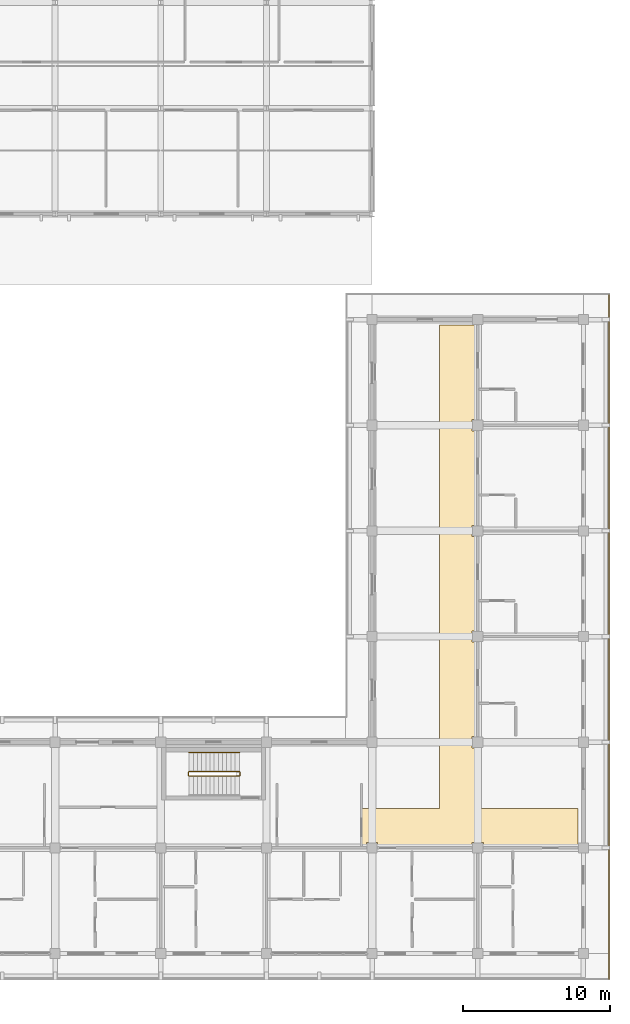
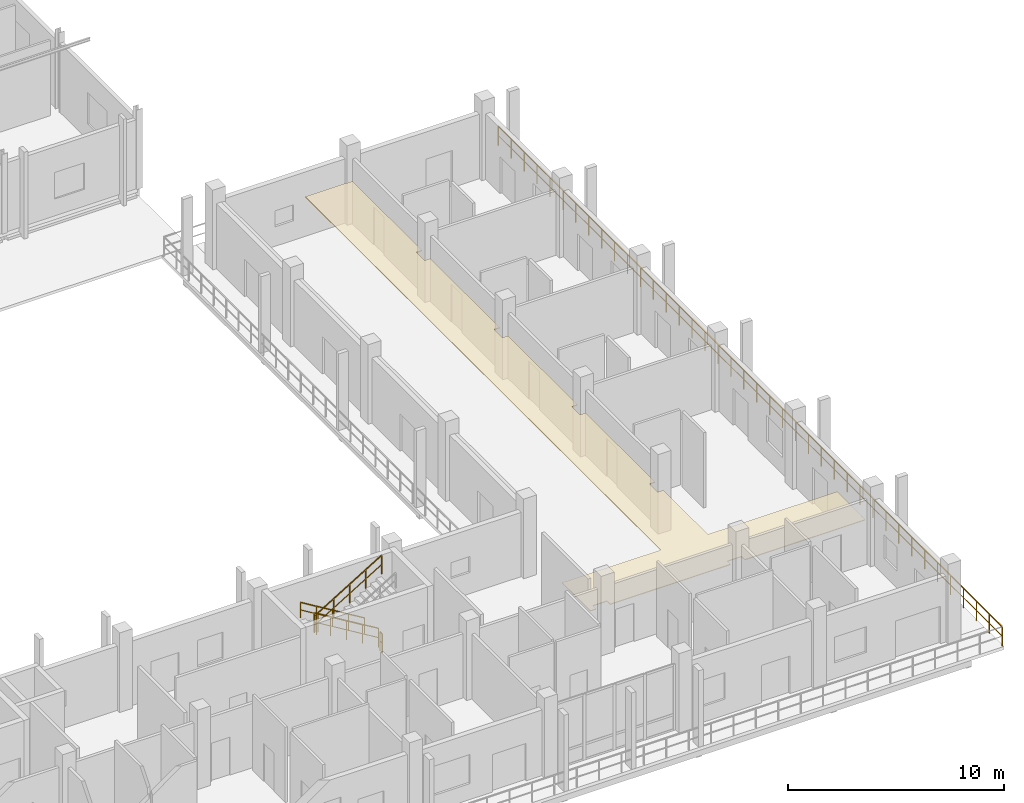
# One storey, part 106 of 110: 6 railings, 1 covering.
"""IFC4 building model written with IfcOpenShell, lengths in metres."""

from ifc_helpers import new_model, si_unit, direction, frame, origin, origin_2d, place, context, subcontext, project, spatial, polyline, rectangle, outline, extrude, material, layer, layer_set, type_object, element, save


model = new_model("IFC4")

# Units and contexts
model_context = context("Model", 3, precision=1e-05, world=origin(), true_north=direction((0.0, 1.0)))
body_context = subcontext(model_context, "Body", "Model", "MODEL_VIEW")
ifc_project = project(units=[si_unit("LENGTHUNIT", "METRE"), si_unit("AREAUNIT", "SQUARE_METRE"), si_unit("VOLUMEUNIT", "CUBIC_METRE"), si_unit("PLANEANGLEUNIT", "RADIAN"), si_unit("MASSUNIT", "GRAM", prefix="KILO")], contexts=[model_context])

# Site, building, storey
site_placement = place(None, origin())
site = spatial("IfcSite", under=ifc_project, at=site_placement, CompositionType="ELEMENT")
building_placement = place(site_placement, origin())
building = spatial("IfcBuilding", under=site, at=building_placement, Name="Suanplinth Sawtooth Commons", CompositionType="ELEMENT")
storey_placement = place(building_placement, frame((0.0, 0.0, 4.5)))
storey = spatial("IfcBuildingStorey", under=building, at=storey_placement, Name="L01", CompositionType="ELEMENT", Elevation=4.5)

# Covering
ifc_material_1 = material(Name="Mineral fibre acoustic tile")
ifc_layer = layer(ifc_material_1, 0.0400390625, Name="Perforated mineral-fibre acoustic suspended ceiling")
ifc_layer_set = layer_set([ifc_layer], Name="Mineral fibre acoustic tile")
covering_type = type_object("IfcCoveringType", Name="CV-CE01", PredefinedType="CEILING", material=ifc_layer_set)
covering_placement = place(storey_placement, frame((0.0, 0.0, 2.3798828125)))
element("IfcCovering", 1, at=covering_placement, inside=storey, type_object=covering_type, Name="L01 Block C Corridor Acoustic Ceiling", PredefinedType="CEILING", context=body_context, shape_type="SweptSolid", body=[
    extrude(outline(polyline([(172.1201171875, 9.89990234375), (177.39990234375, 9.89990234375), (177.39990234375, 42.840087890625), (179.6201171875, 42.840087890625), (179.6201171875, 42.820068359375), (179.919921875, 42.820068359375), (179.919921875, 36.3798828125), (179.6201171875, 36.3798828125), (179.6201171875, 35.6201171875), (179.919921875, 35.6201171875), (179.919921875, 29.179931640625), (179.6201171875, 29.179931640625), (179.6201171875, 28.419921875), (179.919921875, 28.419921875), (179.919921875, 21.97998046875), (179.6201171875, 21.97998046875), (179.6201171875, 21.219970703125), (179.919921875, 21.219970703125), (179.919921875, 14.780029296875), (179.6201171875, 14.780029296875), (179.6201171875, 14.02001953125), (179.919921875, 14.02001953125), (179.919921875, 9.89990234375), (186.840087890625, 9.89990234375), (186.840087890625, 7.580078125), (186.820068359375, 7.580078125), (186.820068359375, 7.280029296875), (180.3798828125, 7.280029296875), (180.3798828125, 7.580078125), (179.6201171875, 7.580078125), (179.6201171875, 7.280029296875), (173.179931640625, 7.280029296875), (173.179931640625, 7.580078125), (172.419921875, 7.580078125), (172.419921875, 7.280029296875), (172.1201171875, 7.280029296875), (172.1201171875, 9.89990234375)])), origin(), (0.0, 0.0, 1.0), 0.0400390625),
])

# Railings
ifc_material_2 = material(Name="Powder-coated galvanized steel", Category="steel")
railing_type_1 = type_object("IfcRailingType", Name="GR-01", PredefinedType="BALUSTRADE", material=ifc_material_2)
railing_1_placement = place(storey_placement, frame((188.93994140625, 44.93994140625, 0.0)))
element("IfcRailing", 2, at=railing_1_placement, inside=storey, type_object=railing_type_1, Name="L01 Block C Perimeter Balustrade 5", PredefinedType="BALUSTRADE", context=body_context, shape_type="SweptSolid", body=[
    extrude(rectangle(XDim=0.048095703125, YDim=0.048095703125, at=origin_2d()), frame((0.0, 0.0, 1.09619140625), z_axis=(0.0, -1.0, 0.0), x_axis=(1.0, 0.0, 0.0)), (0.0, 0.0, 1.0), 46.679931640625),
    extrude(rectangle(XDim=0.03369140625, YDim=0.03369140625, at=origin_2d()), frame((0.0, 0.0, 0.56005859375), z_axis=(0.0, -1.0, 0.0), x_axis=(1.0, 0.0, 0.0)), (0.0, 0.0, 1.0), 46.679931640625),
    extrude(rectangle(XDim=0.0419921875, YDim=0.0419921875, at=origin_2d()), origin(), (0.0, 0.0, 1.0), 1.072021484375),
    extrude(rectangle(XDim=0.0419921875, YDim=0.0419921875, at=origin_2d()), frame((0.0, -1.197021484375, 0.0)), (0.0, 0.0, 1.0), 1.072021484375),
    extrude(rectangle(XDim=0.0419921875, YDim=0.0419921875, at=origin_2d()), frame((0.0, -2.393798828125, 0.0)), (0.0, 0.0, 1.0), 1.072021484375),
    extrude(rectangle(XDim=0.0419921875, YDim=0.0419921875, at=origin_2d()), frame((0.0, -3.5908203125, 0.0)), (0.0, 0.0, 1.0), 1.072021484375),
    extrude(rectangle(XDim=0.0419921875, YDim=0.0419921875, at=origin_2d()), frame((0.0, -4.78759765625, 0.0)), (0.0, 0.0, 1.0), 1.072021484375),
    extrude(rectangle(XDim=0.0419921875, YDim=0.0419921875, at=origin_2d()), frame((0.0, -5.984619140625, 0.0)), (0.0, 0.0, 1.0), 1.072021484375),
    extrude(rectangle(XDim=0.0419921875, YDim=0.0419921875, at=origin_2d()), frame((0.0, -7.181640625, 0.0)), (0.0, 0.0, 1.0), 1.072021484375),
    extrude(rectangle(XDim=0.0419921875, YDim=0.0419921875, at=origin_2d()), frame((0.0, -8.37841796875, 0.0)), (0.0, 0.0, 1.0), 1.072021484375),
    extrude(rectangle(XDim=0.0419921875, YDim=0.0419921875, at=origin_2d()), frame((0.0, -9.575439453125, 0.0)), (0.0, 0.0, 1.0), 1.072021484375),
    extrude(rectangle(XDim=0.0419921875, YDim=0.0419921875, at=origin_2d()), frame((0.0, -10.772216796875, 0.0)), (0.0, 0.0, 1.0), 1.072021484375),
    extrude(rectangle(XDim=0.0419921875, YDim=0.0419921875, at=origin_2d()), frame((0.0, -11.96923828125, 0.0)), (0.0, 0.0, 1.0), 1.072021484375),
    extrude(rectangle(XDim=0.0419921875, YDim=0.0419921875, at=origin_2d()), frame((0.0, -13.166015625, 0.0)), (0.0, 0.0, 1.0), 1.072021484375),
    extrude(rectangle(XDim=0.0419921875, YDim=0.0419921875, at=origin_2d()), frame((0.0, -14.363037109375, 0.0)), (0.0, 0.0, 1.0), 1.072021484375),
    extrude(rectangle(XDim=0.0419921875, YDim=0.0419921875, at=origin_2d()), frame((0.0, -15.56005859375, 0.0)), (0.0, 0.0, 1.0), 1.072021484375),
    extrude(rectangle(XDim=0.0419921875, YDim=0.0419921875, at=origin_2d()), frame((0.0, -16.7568359375, 0.0)), (0.0, 0.0, 1.0), 1.072021484375),
    extrude(rectangle(XDim=0.0419921875, YDim=0.0419921875, at=origin_2d()), frame((0.0, -17.953857421875, 0.0)), (0.0, 0.0, 1.0), 1.072021484375),
    extrude(rectangle(XDim=0.0419921875, YDim=0.0419921875, at=origin_2d()), frame((0.0, -19.150634765625, 0.0)), (0.0, 0.0, 1.0), 1.072021484375),
    extrude(rectangle(XDim=0.0419921875, YDim=0.0419921875, at=origin_2d()), frame((0.0, -20.34765625, 0.0)), (0.0, 0.0, 1.0), 1.072021484375),
    extrude(rectangle(XDim=0.0419921875, YDim=0.0419921875, at=origin_2d()), frame((0.0, -21.544677734375, 0.0)), (0.0, 0.0, 1.0), 1.072021484375),
    extrude(rectangle(XDim=0.0419921875, YDim=0.0419921875, at=origin_2d()), frame((0.0, -22.741455078125, 0.0)), (0.0, 0.0, 1.0), 1.072021484375),
    extrude(rectangle(XDim=0.0419921875, YDim=0.0419921875, at=origin_2d()), frame((0.0, -23.9384765625, 0.0)), (0.0, 0.0, 1.0), 1.072021484375),
    extrude(rectangle(XDim=0.0419921875, YDim=0.0419921875, at=origin_2d()), frame((0.0, -25.13525390625, 0.0)), (0.0, 0.0, 1.0), 1.072021484375),
    extrude(rectangle(XDim=0.0419921875, YDim=0.0419921875, at=origin_2d()), frame((0.0, -26.332275390625, 0.0)), (0.0, 0.0, 1.0), 1.072021484375),
    extrude(rectangle(XDim=0.0419921875, YDim=0.0419921875, at=origin_2d()), frame((0.0, -27.529296875, 0.0)), (0.0, 0.0, 1.0), 1.072021484375),
    extrude(rectangle(XDim=0.0419921875, YDim=0.0419921875, at=origin_2d()), frame((0.0, -28.72607421875, 0.0)), (0.0, 0.0, 1.0), 1.072021484375),
    extrude(rectangle(XDim=0.0419921875, YDim=0.0419921875, at=origin_2d()), frame((0.0, -29.923095703125, 0.0)), (0.0, 0.0, 1.0), 1.072021484375),
    extrude(rectangle(XDim=0.0419921875, YDim=0.0419921875, at=origin_2d()), frame((0.0, -31.119873046875, 0.0)), (0.0, 0.0, 1.0), 1.072021484375),
    extrude(rectangle(XDim=0.0419921875, YDim=0.0419921875, at=origin_2d()), frame((0.0, -32.31689453125, 0.0)), (0.0, 0.0, 1.0), 1.072021484375),
    extrude(rectangle(XDim=0.0419921875, YDim=0.0419921875, at=origin_2d()), frame((0.0, -33.513916015625, 0.0)), (0.0, 0.0, 1.0), 1.072021484375),
    extrude(rectangle(XDim=0.0419921875, YDim=0.0419921875, at=origin_2d()), frame((0.0, -34.710693359375, 0.0)), (0.0, 0.0, 1.0), 1.072021484375),
    extrude(rectangle(XDim=0.0419921875, YDim=0.0419921875, at=origin_2d()), frame((0.0, -35.90771484375, 0.0)), (0.0, 0.0, 1.0), 1.072021484375),
    extrude(rectangle(XDim=0.0419921875, YDim=0.0419921875, at=origin_2d()), frame((0.0, -37.1044921875, 0.0)), (0.0, 0.0, 1.0), 1.072021484375),
    extrude(rectangle(XDim=0.0419921875, YDim=0.0419921875, at=origin_2d()), frame((0.0, -38.301513671875, 0.0)), (0.0, 0.0, 1.0), 1.072021484375),
    extrude(rectangle(XDim=0.0419921875, YDim=0.0419921875, at=origin_2d()), frame((0.0, -39.498291015625, 0.0)), (0.0, 0.0, 1.0), 1.072021484375),
    extrude(rectangle(XDim=0.0419921875, YDim=0.0419921875, at=origin_2d()), frame((0.0, -40.6953125, 0.0)), (0.0, 0.0, 1.0), 1.072021484375),
    extrude(rectangle(XDim=0.0419921875, YDim=0.0419921875, at=origin_2d()), frame((0.0, -41.892333984375, 0.0)), (0.0, 0.0, 1.0), 1.072021484375),
    extrude(rectangle(XDim=0.0419921875, YDim=0.0419921875, at=origin_2d()), frame((0.0, -43.089111328125, 0.0)), (0.0, 0.0, 1.0), 1.072021484375),
    extrude(rectangle(XDim=0.0419921875, YDim=0.0419921875, at=origin_2d()), frame((0.0, -44.2861328125, 0.0)), (0.0, 0.0, 1.0), 1.072021484375),
    extrude(rectangle(XDim=0.0419921875, YDim=0.0419921875, at=origin_2d()), frame((0.0, -45.48291015625, 0.0)), (0.0, 0.0, 1.0), 1.072021484375),
    extrude(rectangle(XDim=0.0419921875, YDim=0.0419921875, at=origin_2d()), frame((0.0, -46.679931640625, 0.0)), (0.0, 0.0, 1.0), 1.072021484375),
])
ifc_material_3 = material(Name="Stainless steel Grade 304", Category="steel")
railing_type_2 = type_object("IfcRailingType", Name="GR-04", PredefinedType="GUARDRAIL", material=ifc_material_3)
railing_2_placement = place(storey_placement, frame((163.75, 12.39990234375, 0.173095703125)))
element("IfcRailing", 3, at=railing_2_placement, inside=storey, type_object=railing_type_2, Name="L01 ST-S2 Guard 1", PredefinedType="GUARDRAIL", context=body_context, shape_type="SweptSolid", body=[
    extrude(rectangle(XDim=0.048095703125, YDim=0.048095703125, at=origin_2d()), frame((0.0, 0.0, 1.076171875), z_axis=(-0.854729506542, 0.0, 0.519073665916), x_axis=(0.0, -1.0, 0.0)), (0.0, 0.0, 1.0), 4.001220703125),
    extrude(rectangle(XDim=0.03369140625, YDim=0.03369140625, at=origin_2d()), frame((0.0, 0.0, 0.550048828125), z_axis=(-0.854729506542, 0.0, 0.519073665916), x_axis=(0.0, -1.0, 0.0)), (0.0, 0.0, 1.0), 4.001220703125),
    extrude(rectangle(XDim=0.0419921875, YDim=0.0419921875, at=origin_2d()), origin(), (0.0, 0.0, 1.0), 1.052001953125),
    extrude(rectangle(XDim=0.0419921875, YDim=0.0419921875, at=origin_2d()), frame((-0.85498046875, 0.0, 0.519287109375)), (0.0, 0.0, 1.0), 1.052001953125),
    extrude(rectangle(XDim=0.0419921875, YDim=0.0419921875, at=origin_2d()), frame((-1.7099609375, 0.0, 1.03857421875)), (0.0, 0.0, 1.0), 1.052001953125),
    extrude(rectangle(XDim=0.0419921875, YDim=0.0419921875, at=origin_2d()), frame((-2.56494140625, 0.0, 1.5576171875)), (0.0, 0.0, 1.0), 1.052001953125),
    extrude(rectangle(XDim=0.0419921875, YDim=0.0419921875, at=origin_2d()), frame((-3.419921875, 0.0, 2.076904296875)), (0.0, 0.0, 1.0), 1.052001953125),
])
railing_3_placement = place(storey_placement, frame((160.280029296875, 12.35009765625, 2.25)))
element("IfcRailing", 4, at=railing_3_placement, inside=storey, type_object=railing_type_2, Name="L01 ST-S2 Guard 2", PredefinedType="GUARDRAIL", context=body_context, shape_type="SweptSolid", body=[
    extrude(rectangle(XDim=0.048095703125, YDim=0.048095703125, at=origin_2d()), frame((0.0, 0.0, 1.076171875), z_axis=(0.0, -1.0, 0.0), x_axis=(1.0, 0.0, 0.0)), (0.0, 0.0, 1.0), 0.2001953125),
    extrude(rectangle(XDim=0.03369140625, YDim=0.03369140625, at=origin_2d()), frame((0.0, 0.0, 0.550048828125), z_axis=(0.0, -1.0, 0.0), x_axis=(1.0, 0.0, 0.0)), (0.0, 0.0, 1.0), 0.2001953125),
    extrude(rectangle(XDim=0.0419921875, YDim=0.0419921875, at=origin_2d()), origin(), (0.0, 0.0, 1.0), 1.052001953125),
    extrude(rectangle(XDim=0.0419921875, YDim=0.0419921875, at=origin_2d()), frame((0.0, -0.2001953125, 0.0)), (0.0, 0.0, 1.0), 1.052001953125),
])
railing_4_placement = place(storey_placement, frame((160.330078125, 12.10009765625, 2.423095703125)))
element("IfcRailing", 5, at=railing_4_placement, inside=storey, type_object=railing_type_2, Name="L01 ST-S2 Guard 3", PredefinedType="GUARDRAIL", context=body_context, shape_type="SweptSolid", body=[
    extrude(rectangle(XDim=0.048095703125, YDim=0.048095703125, at=origin_2d()), frame((0.0, 0.0, 1.076171875), z_axis=(0.854729506542, 0.0, 0.519073665916), x_axis=(0.0, 1.0, 0.0)), (0.0, 0.0, 1.0), 4.001220703125),
    extrude(rectangle(XDim=0.03369140625, YDim=0.03369140625, at=origin_2d()), frame((0.0, 0.0, 0.550048828125), z_axis=(0.854729506542, 0.0, 0.519073665916), x_axis=(0.0, 1.0, 0.0)), (0.0, 0.0, 1.0), 4.001220703125),
    extrude(rectangle(XDim=0.0419921875, YDim=0.0419921875, at=origin_2d()), origin(), (0.0, 0.0, 1.0), 1.052001953125),
    extrude(rectangle(XDim=0.0419921875, YDim=0.0419921875, at=origin_2d()), frame((0.85498046875, 0.0, 0.519287109375)), (0.0, 0.0, 1.0), 1.052001953125),
    extrude(rectangle(XDim=0.0419921875, YDim=0.0419921875, at=origin_2d()), frame((1.7099609375, 0.0, 1.03857421875)), (0.0, 0.0, 1.0), 1.052001953125),
    extrude(rectangle(XDim=0.0419921875, YDim=0.0419921875, at=origin_2d()), frame((2.56494140625, 0.0, 1.5576171875)), (0.0, 0.0, 1.0), 1.052001953125),
    extrude(rectangle(XDim=0.0419921875, YDim=0.0419921875, at=origin_2d()), frame((3.419921875, 0.0, 2.076904296875)), (0.0, 0.0, 1.0), 1.052001953125),
])
railing_5_placement = place(storey_placement, frame((163.800048828125, 12.35009765625, 0.0)))
element("IfcRailing", 6, at=railing_5_placement, inside=storey, type_object=railing_type_2, Name="L01 ST-S2 Guard 4", PredefinedType="GUARDRAIL", context=body_context, shape_type="SweptSolid", body=[
    extrude(rectangle(XDim=0.048095703125, YDim=0.048095703125, at=origin_2d()), frame((0.0, 0.0, 1.076171875), z_axis=(0.0, -1.0, 0.0), x_axis=(1.0, 0.0, 0.0)), (0.0, 0.0, 1.0), 0.2001953125),
    extrude(rectangle(XDim=0.03369140625, YDim=0.03369140625, at=origin_2d()), frame((0.0, 0.0, 0.550048828125), z_axis=(0.0, -1.0, 0.0), x_axis=(1.0, 0.0, 0.0)), (0.0, 0.0, 1.0), 0.2001953125),
    extrude(rectangle(XDim=0.0419921875, YDim=0.0419921875, at=origin_2d()), origin(), (0.0, 0.0, 1.0), 1.052001953125),
    extrude(rectangle(XDim=0.0419921875, YDim=0.0419921875, at=origin_2d()), frame((0.0, -0.2001953125, 0.0)), (0.0, 0.0, 1.0), 1.052001953125),
])
railing_type_3 = type_object("IfcRailingType", Name="HR-01", PredefinedType="HANDRAIL", material=ifc_material_3)
railing_6_placement = place(storey_placement, frame((163.75, 13.699951171875, 0.173095703125)))
element("IfcRailing", 7, at=railing_6_placement, inside=storey, type_object=railing_type_3, Name="L01 ST-S2 Handrail 1", PredefinedType="HANDRAIL", context=body_context, shape_type="SweptSolid", body=[
    extrude(rectangle(XDim=0.048095703125, YDim=0.048095703125, at=origin_2d()), frame((0.0, 0.0, 0.8759765625), z_axis=(-0.854729506542, 0.0, 0.519073665916), x_axis=(0.0, -1.0, 0.0)), (0.0, 0.0, 1.0), 4.001220703125),
    extrude(rectangle(XDim=0.03369140625, YDim=0.03369140625, at=origin_2d()), frame((0.0, 0.0, 0.449951171875), z_axis=(-0.854729506542, 0.0, 0.519073665916), x_axis=(0.0, -1.0, 0.0)), (0.0, 0.0, 1.0), 4.001220703125),
    extrude(rectangle(XDim=0.0419921875, YDim=0.0419921875, at=origin_2d()), origin(), (0.0, 0.0, 1.0), 0.851806640625),
    extrude(rectangle(XDim=0.0419921875, YDim=0.0419921875, at=origin_2d()), frame((-0.85498046875, 0.0, 0.519287109375)), (0.0, 0.0, 1.0), 0.851806640625),
    extrude(rectangle(XDim=0.0419921875, YDim=0.0419921875, at=origin_2d()), frame((-1.7099609375, 0.0, 1.03857421875)), (0.0, 0.0, 1.0), 0.851806640625),
    extrude(rectangle(XDim=0.0419921875, YDim=0.0419921875, at=origin_2d()), frame((-2.56494140625, 0.0, 1.5576171875)), (0.0, 0.0, 1.0), 0.851806640625),
    extrude(rectangle(XDim=0.0419921875, YDim=0.0419921875, at=origin_2d()), frame((-3.419921875, 0.0, 2.076904296875)), (0.0, 0.0, 1.0), 0.851806640625),
])

save(model, "model.ifc")
